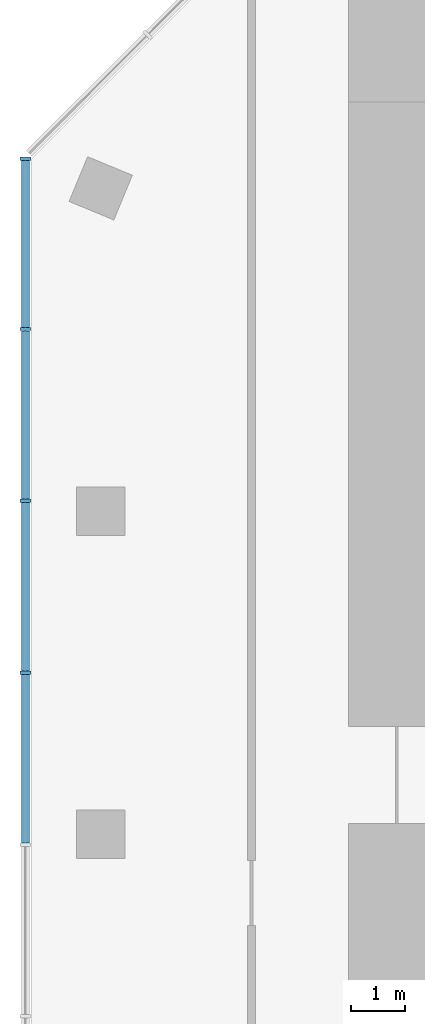
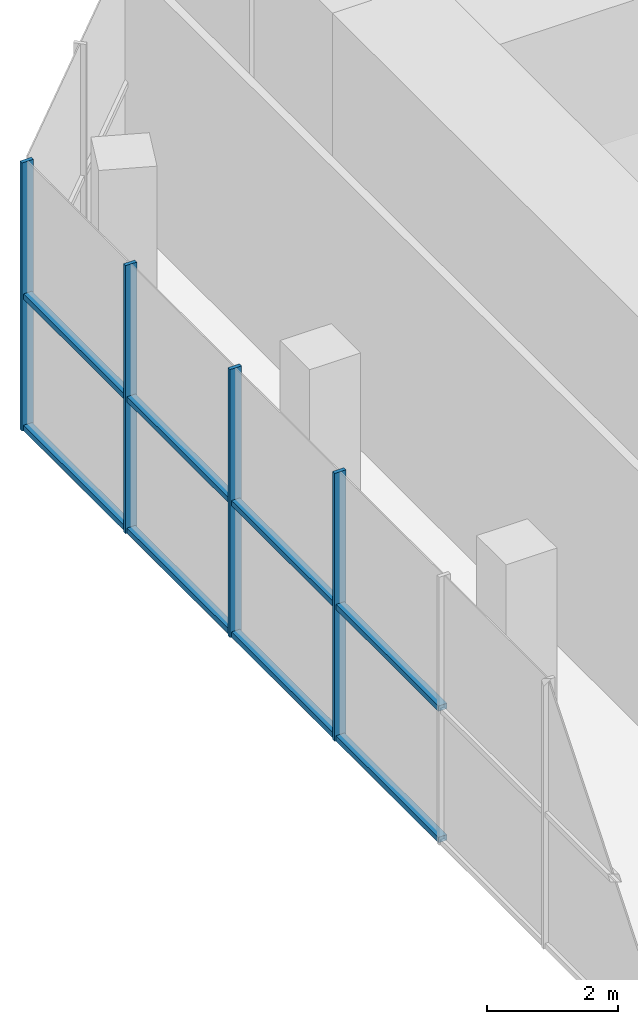
# One storey, part 3 of 9: 12 members, 1 element without a shape of its own.
"""IFC4 building model written with IfcOpenShell, lengths in metres."""

from ifc_helpers import new_model, si_unit, direction, frame, origin, origin_2d, place, context, subcontext, project, spatial, rectangle, extrude, material, layer, layer_set, material_profile, profile_set, type_object, element, aggregate, save


model = new_model("IFC4")

# Units and contexts
model_context = context("Model", 3, precision=1e-05, world=origin(), true_north=direction((0.0, 1.0)))
body_context = subcontext(model_context, "Body", "Model", "MODEL_VIEW")
ifc_project = project(units=[si_unit("LENGTHUNIT", "METRE"), si_unit("AREAUNIT", "SQUARE_METRE"), si_unit("VOLUMEUNIT", "CUBIC_METRE"), si_unit("PLANEANGLEUNIT", "RADIAN"), si_unit("MASSUNIT", "GRAM", prefix="KILO")], contexts=[model_context])

# Site, building, storey
site_placement = place(None, origin())
site = spatial("IfcSite", under=ifc_project, at=site_placement, CompositionType="ELEMENT")
building_placement = place(site_placement, origin())
building = spatial("IfcBuilding", under=site, at=building_placement, Name="Highveld Stack Headquarters", CompositionType="ELEMENT")
storey_placement = place(building_placement, frame((0.0, 0.0, 295.699951171875)))
storey = spatial("IfcBuildingStorey", under=building, at=storey_placement, Name="L73", CompositionType="ELEMENT", Elevation=295.699951171875)

# Curtain wall, members
ifc_material_1 = material(Name="Aluminium bronze anodised", Category="aluminium")
ifc_layer = layer(ifc_material_1, 0.199951171875)
ifc_layer_set = layer_set([ifc_layer], Name="Aluminium bronze anodised")
curtain_wall_type = type_object("IfcCurtainWallType", Name="CW4 LANTERN CURTAIN WALL", PredefinedType="NOTDEFINED", material=ifc_layer_set)
curtain_wall_placement = place(storey_placement, origin())
curtain_wall = element("IfcCurtainWall", 1, at=curtain_wall_placement, inside=storey, type_object=curtain_wall_type, Name="Curtain wall CW4 L73 W", PredefinedType="NOTDEFINED")
ifc_material_2 = material(Name="Aluminium bronze anodised", Category="aluminium")
ifc_material_profile_1 = material_profile(ifc_material_2, rectangle(XDim=0.199951171875, YDim=0.06494140625, at=origin_2d()), Name="CW4 MULLION 65x200")
ifc_profile_set_1 = profile_set([ifc_material_profile_1], Name="Aluminium bronze anodised")
member_type_1 = type_object("IfcMemberType", Name="CW4 MULLION 65x200", PredefinedType="MULLION", material=ifc_profile_set_1)
member_1_placement = place(storey_placement, frame((-13.39990234375, 12.54736328125, 0.0), z_axis=(0.0, 0.0, 1.0), x_axis=(1.0, 0.0, 0.0)))
member_1 = element("IfcMember", 2, at=member_1_placement, type_object=member_type_1, Name="CW4 mullion L73 1", PredefinedType="MULLION", context=body_context, shape_type="SweptSolid", body=[
    extrude(rectangle(XDim=0.199951171875, YDim=0.06494140625, at=origin_2d()), origin(), (0.0, 0.0, 1.0), 5.0),
])
member_2_placement = place(storey_placement, frame((-13.39990234375, 9.38671875, 0.0), z_axis=(0.0, 0.0, 1.0), x_axis=(1.0, 0.0, 0.0)))
member_2 = element("IfcMember", 3, at=member_2_placement, type_object=member_type_1, Name="CW4 mullion L73 2", PredefinedType="MULLION", context=body_context, shape_type="SweptSolid", body=[
    extrude(rectangle(XDim=0.199951171875, YDim=0.06494140625, at=origin_2d()), origin(), (0.0, 0.0, 1.0), 5.0),
])
member_3_placement = place(storey_placement, frame((-13.39990234375, 6.193359375, 0.0), z_axis=(0.0, 0.0, 1.0), x_axis=(1.0, 0.0, 0.0)))
member_3 = element("IfcMember", 4, at=member_3_placement, type_object=member_type_1, Name="CW4 mullion L73 3", PredefinedType="MULLION", context=body_context, shape_type="SweptSolid", body=[
    extrude(rectangle(XDim=0.199951171875, YDim=0.06494140625, at=origin_2d()), origin(), (0.0, 0.0, 1.0), 5.0),
])
member_4_placement = place(storey_placement, frame((-13.39990234375, 3.0, 0.0), z_axis=(0.0, 0.0, 1.0), x_axis=(1.0, 0.0, 0.0)))
member_4 = element("IfcMember", 5, at=member_4_placement, type_object=member_type_1, Name="CW4 mullion L73 4", PredefinedType="MULLION", context=body_context, shape_type="SweptSolid", body=[
    extrude(rectangle(XDim=0.199951171875, YDim=0.06494140625, at=origin_2d()), origin(), (0.0, 0.0, 1.0), 5.0),
])
ifc_material_3 = material(Name="Aluminium bronze anodised", Category="aluminium")
ifc_material_profile_2 = material_profile(ifc_material_3, rectangle(XDim=0.14990234375, YDim=0.10009765625, at=origin_2d()), Name="CW4 TRANSOM 150x100")
ifc_profile_set_2 = profile_set([ifc_material_profile_2], Name="Aluminium bronze anodised")
member_type_2 = type_object("IfcMemberType", Name="CW4 STACK TRANSOM 150x100", PredefinedType="USERDEFINED", material=ifc_profile_set_2)
member_5_placement = place(storey_placement, frame((-13.39990234375, 12.514892578125, 0.050048828125), z_axis=(0.0, -1.0, 0.0), x_axis=(1.0, 0.0, 0.0)))
member_5 = element("IfcMember", 6, at=member_5_placement, type_object=member_type_2, Name="CW4 transom L73 1.1", ObjectType="TRANSOM", PredefinedType="USERDEFINED", context=body_context, shape_type="SweptSolid", body=[
    extrude(rectangle(XDim=0.14990234375, YDim=0.10009765625, at=origin_2d()), origin(), (0.0, 0.0, 1.0), 3.095703125),
])
member_6_placement = place(storey_placement, frame((-13.39990234375, 12.514892578125, 2.5), z_axis=(0.0, -1.0, 0.0), x_axis=(1.0, 0.0, 0.0)))
member_6 = element("IfcMember", 7, at=member_6_placement, type_object=member_type_2, Name="CW4 transom L73 1.2", ObjectType="TRANSOM", PredefinedType="USERDEFINED", context=body_context, shape_type="SweptSolid", body=[
    extrude(rectangle(XDim=0.14990234375, YDim=0.10009765625, at=origin_2d()), origin(), (0.0, 0.0, 1.0), 3.095703125),
])
member_7_placement = place(storey_placement, frame((-13.39990234375, 9.35400390625, 0.050048828125), z_axis=(0.0, -1.0, 0.0), x_axis=(1.0, 0.0, 0.0)))
member_7 = element("IfcMember", 8, at=member_7_placement, type_object=member_type_2, Name="CW4 transom L73 2.1", ObjectType="TRANSOM", PredefinedType="USERDEFINED", context=body_context, shape_type="SweptSolid", body=[
    extrude(rectangle(XDim=0.14990234375, YDim=0.10009765625, at=origin_2d()), origin(), (0.0, 0.0, 1.0), 3.128173828125),
])
member_8_placement = place(storey_placement, frame((-13.39990234375, 9.35400390625, 2.5), z_axis=(0.0, -1.0, 0.0), x_axis=(1.0, 0.0, 0.0)))
member_8 = element("IfcMember", 9, at=member_8_placement, type_object=member_type_2, Name="CW4 transom L73 2.2", ObjectType="TRANSOM", PredefinedType="USERDEFINED", context=body_context, shape_type="SweptSolid", body=[
    extrude(rectangle(XDim=0.14990234375, YDim=0.10009765625, at=origin_2d()), origin(), (0.0, 0.0, 1.0), 3.128173828125),
])
member_9_placement = place(storey_placement, frame((-13.39990234375, 6.160888671875, 0.050048828125), z_axis=(0.0, -1.0, 0.0), x_axis=(1.0, 0.0, 0.0)))
member_9 = element("IfcMember", 10, at=member_9_placement, type_object=member_type_2, Name="CW4 transom L73 3.1", ObjectType="TRANSOM", PredefinedType="USERDEFINED", context=body_context, shape_type="SweptSolid", body=[
    extrude(rectangle(XDim=0.14990234375, YDim=0.10009765625, at=origin_2d()), origin(), (0.0, 0.0, 1.0), 3.12841796875),
])
member_10_placement = place(storey_placement, frame((-13.39990234375, 6.160888671875, 2.5), z_axis=(0.0, -1.0, 0.0), x_axis=(1.0, 0.0, 0.0)))
member_10 = element("IfcMember", 11, at=member_10_placement, type_object=member_type_2, Name="CW4 transom L73 3.2", ObjectType="TRANSOM", PredefinedType="USERDEFINED", context=body_context, shape_type="SweptSolid", body=[
    extrude(rectangle(XDim=0.14990234375, YDim=0.10009765625, at=origin_2d()), origin(), (0.0, 0.0, 1.0), 3.12841796875),
])
member_11_placement = place(storey_placement, frame((-13.39990234375, 2.967529296875, 0.050048828125), z_axis=(0.0, -1.0, 0.0), x_axis=(1.0, 0.0, 0.0)))
member_11 = element("IfcMember", 12, at=member_11_placement, type_object=member_type_2, Name="CW4 transom L73 4.1", ObjectType="TRANSOM", PredefinedType="USERDEFINED", context=body_context, shape_type="SweptSolid", body=[
    extrude(rectangle(XDim=0.14990234375, YDim=0.10009765625, at=origin_2d()), origin(), (0.0, 0.0, 1.0), 3.12841796875),
])
member_12_placement = place(storey_placement, frame((-13.39990234375, 2.967529296875, 2.5), z_axis=(0.0, -1.0, 0.0), x_axis=(1.0, 0.0, 0.0)))
member_12 = element("IfcMember", 13, at=member_12_placement, type_object=member_type_2, Name="CW4 transom L73 4.2", ObjectType="TRANSOM", PredefinedType="USERDEFINED", context=body_context, shape_type="SweptSolid", body=[
    extrude(rectangle(XDim=0.14990234375, YDim=0.10009765625, at=origin_2d()), origin(), (0.0, 0.0, 1.0), 3.12841796875),
])
aggregate(curtain_wall, [member_1, member_2, member_3, member_4, member_5, member_6, member_7, member_8, member_9, member_10, member_11, member_12])

save(model, "model.ifc")
